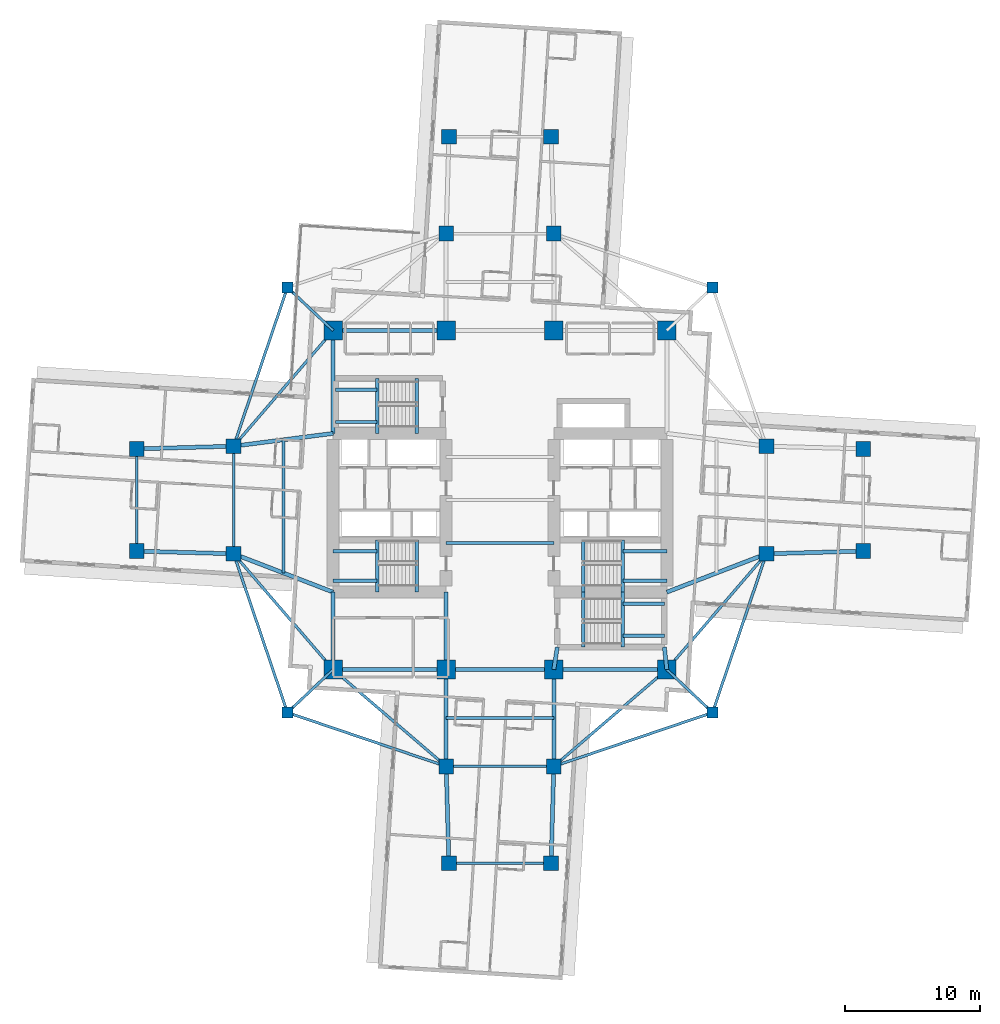
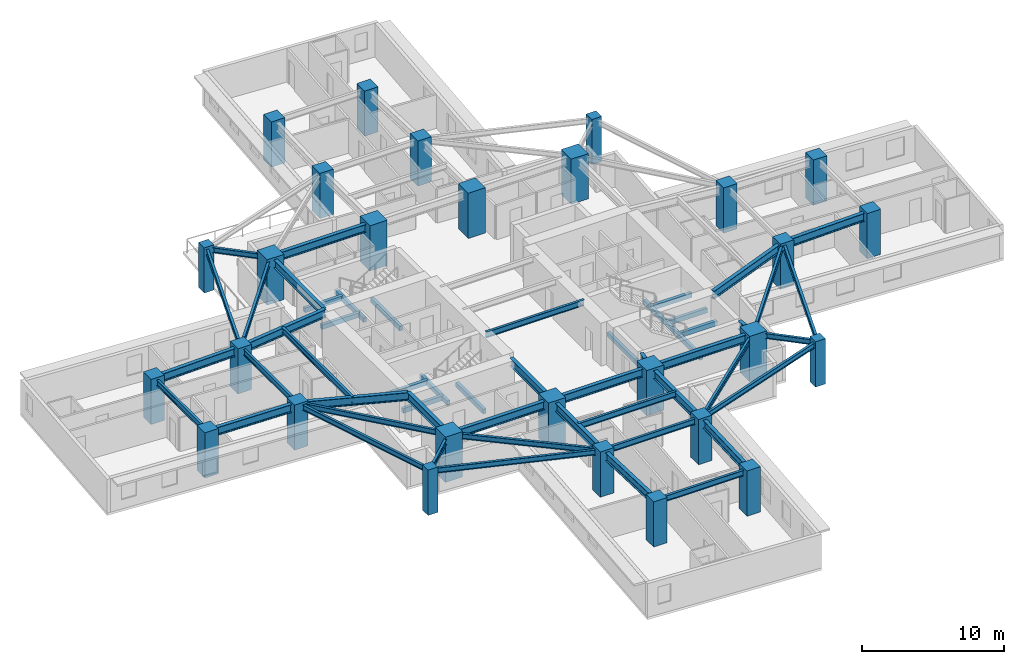
# One storey, part 1 of 14: 55 beams, 28 columns.
"""IFC4 building model written with IfcOpenShell, lengths in metres."""

from ifc_helpers import new_model, si_unit, direction, frame, origin, origin_2d, place, context, subcontext, project, spatial, rectangle, i_section, extrude, material, material_profile, profile_set, type_object, element, save


model = new_model("IFC4")

# Units and contexts
model_context = context("Model", 3, precision=1e-05, world=origin(), true_north=direction((0.0, 1.0)))
body_context = subcontext(model_context, "Body", "Model", "MODEL_VIEW")
ifc_project = project(units=[si_unit("LENGTHUNIT", "METRE"), si_unit("AREAUNIT", "SQUARE_METRE"), si_unit("VOLUMEUNIT", "CUBIC_METRE"), si_unit("PLANEANGLEUNIT", "RADIAN"), si_unit("MASSUNIT", "GRAM", prefix="KILO")], contexts=[model_context])

# Site, building, storey
site_placement = place(None, origin())
site = spatial("IfcSite", under=ifc_project, at=site_placement, CompositionType="ELEMENT")
building_placement = place(site_placement, origin())
building = spatial("IfcBuilding", under=site, at=building_placement, Name="Qingluan Cross Belvedere", CompositionType="ELEMENT")
storey_placement = place(building_placement, frame((0.0, 0.0, 87.300048828125)))
storey = spatial("IfcBuildingStorey", under=building, at=storey_placement, Name="L22", CompositionType="ELEMENT", Elevation=87.300048828125)

# Columns
ifc_material_1 = material(Name="Concrete C60", Category="concrete")
ifc_material_profile_1 = material_profile(ifc_material_1, rectangle(XDim=1.10009765625, YDim=1.10009765625, at=origin_2d()), Name="RC1100x1100")
ifc_profile_set_1 = profile_set([ifc_material_profile_1], Name="Concrete C60")
column_type_1 = type_object("IfcColumnType", Name="Column_RC1100x1100", PredefinedType="COLUMN", material=ifc_profile_set_1)
for number, where, z_axis, x_axis, name in (
    (1, (19.800048828125, -4.0, 0.0), (0.0, 0.0, 1.0), (1.0, 0.0, 0.0), "Arm column L22-EIA"),
    (2, (19.800048828125, 4.0, 0.0), (0.0, 0.0, 1.0), (1.0, 0.0, 0.0), "Arm column L22-EIB"),
    (3, (-19.800048828125, -4.0, 0.0), (0.0, 0.0, 1.0), (1.0, 0.0, 0.0), "Arm column L22-WIA"),
    (4, (-19.800048828125, 4.0, 0.0), (0.0, 0.0, 1.0), (1.0, 0.0, 0.0), "Arm column L22-WIB"),
    (5, (-4.0, -19.800048828125, 0.0), (0.0, 0.0, 1.0), (1.0, 0.0, 0.0), "Arm column L22-SIA"),
    (6, (4.0, -19.800048828125, 0.0), (0.0, 0.0, 1.0), (1.0, 0.0, 0.0), "Arm column L22-SIB"),
    (7, (-4.0, 19.800048828125, 0.0), (0.0, 0.0, 1.0), (1.0, 0.0, 0.0), "Arm column L22-NIA"),
    (8, (4.0, 19.800048828125, 0.0), (0.0, 0.0, 1.0), (1.0, 0.0, 0.0), "Arm column L22-NIB"),
    (9, (27.0, -3.800048828125, 0.0), (0.0, 0.0, 1.0), (1.0, 0.0, 0.0), "Arm column L22-EOA"),
    (10, (27.0, 3.800048828125, 0.0), (0.0, 0.0, 1.0), (1.0, 0.0, 0.0), "Arm column L22-EOB"),
    (11, (-27.0, -3.800048828125, 0.0), (0.0, 0.0, 1.0), (1.0, 0.0, 0.0), "Arm column L22-WOA"),
    (12, (-27.0, 3.800048828125, 0.0), (0.0, 0.0, 1.0), (1.0, 0.0, 0.0), "Arm column L22-WOB"),
    (13, (-3.800048828125, -27.0, 0.0), (0.0, 0.0, 1.0), (1.0, 0.0, 0.0), "Arm column L22-SOA"),
    (14, (3.800048828125, -27.0, 0.0), (0.0, 0.0, 1.0), (1.0, 0.0, 0.0), "Arm column L22-SOB"),
    (15, (-3.800048828125, 27.0, 0.0), (0.0, 0.0, 1.0), (1.0, 0.0, 0.0), "Arm column L22-NOA"),
    (16, (3.800048828125, 27.0, 0.0), (0.0, 0.0, 1.0), (1.0, 0.0, 0.0), "Arm column L22-NOB"),
):
    element("IfcColumn", number, at=place(storey_placement, frame(where, z_axis=z_axis, x_axis=x_axis)), inside=storey, type_object=column_type_1, Name=name, PredefinedType="COLUMN", context=body_context, shape_type="SweptSolid", body=[
        extrude(rectangle(XDim=1.10009765625, YDim=1.10009765625, at=origin_2d()), origin(), (0.0, 0.0, 1.0), 3.89990234375),
    ])
ifc_material_2 = material(Name="Concrete C70", Category="concrete")
ifc_material_profile_2 = material_profile(ifc_material_2, rectangle(XDim=1.39990234375, YDim=1.39990234375, at=origin_2d()), Name="RC1400x1400")
ifc_profile_set_2 = profile_set([ifc_material_profile_2], Name="Concrete C70")
column_type_2 = type_object("IfcColumnType", Name="Column_RC1400x1400", PredefinedType="COLUMN", material=ifc_profile_set_2)
for number, where, z_axis, x_axis, name in (
    (17, (-12.39990234375, -12.60009765625, 0.0), (0.0, 0.0, 1.0), (1.0, 0.0, 0.0), "Hub column L22-HC1"),
    (18, (12.39990234375, -12.60009765625, 0.0), (0.0, 0.0, 1.0), (1.0, 0.0, 0.0), "Hub column L22-HC2"),
    (19, (12.39990234375, 12.60009765625, 0.0), (0.0, 0.0, 1.0), (1.0, 0.0, 0.0), "Hub column L22-HC3"),
    (20, (-12.39990234375, 12.60009765625, 0.0), (0.0, 0.0, 1.0), (1.0, 0.0, 0.0), "Hub column L22-HC4"),
    (21, (-4.0, -12.60009765625, 0.0), (0.0, 0.0, 1.0), (1.0, 0.0, 0.0), "Hub column L22-HC5"),
    (22, (4.0, -12.60009765625, 0.0), (0.0, 0.0, 1.0), (1.0, 0.0, 0.0), "Hub column L22-HC6"),
    (23, (4.0, 12.60009765625, 0.0), (0.0, 0.0, 1.0), (1.0, 0.0, 0.0), "Hub column L22-HC7"),
    (24, (-4.0, 12.60009765625, 0.0), (0.0, 0.0, 1.0), (1.0, 0.0, 0.0), "Hub column L22-HC8"),
):
    element("IfcColumn", number, at=place(storey_placement, frame(where, z_axis=z_axis, x_axis=x_axis)), inside=storey, type_object=column_type_2, Name=name, PredefinedType="COLUMN", context=body_context, shape_type="SweptSolid", body=[
        extrude(rectangle(XDim=1.39990234375, YDim=1.39990234375, at=origin_2d()), origin(), (0.0, 0.0, 1.0), 3.89990234375),
    ])
ifc_material_3 = material(Name="Concrete C50", Category="concrete")
ifc_material_profile_3 = material_profile(ifc_material_3, rectangle(XDim=0.800048828125, YDim=0.800048828125, at=origin_2d()), Name="RC800x800")
ifc_profile_set_3 = profile_set([ifc_material_profile_3], Name="Concrete C50")
column_type_3 = type_object("IfcColumnType", Name="Column_RC800x800", PredefinedType="COLUMN", material=ifc_profile_set_3)
for number, where, z_axis, x_axis, name in (
    (25, (15.800048828125, 15.800048828125, 0.0), (0.0, 0.0, 1.0), (1.0, 0.0, 0.0), "Corner column L22-RNE"),
    (26, (-15.800048828125, 15.800048828125, 0.0), (0.0, 0.0, 1.0), (1.0, 0.0, 0.0), "Corner column L22-RNW"),
    (27, (-15.800048828125, -15.800048828125, 0.0), (0.0, 0.0, 1.0), (1.0, 0.0, 0.0), "Corner column L22-RSW"),
    (28, (15.800048828125, -15.800048828125, 0.0), (0.0, 0.0, 1.0), (1.0, 0.0, 0.0), "Corner column L22-RSE"),
):
    element("IfcColumn", number, at=place(storey_placement, frame(where, z_axis=z_axis, x_axis=x_axis)), inside=storey, type_object=column_type_3, Name=name, PredefinedType="COLUMN", context=body_context, shape_type="SweptSolid", body=[
        extrude(rectangle(XDim=0.800048828125, YDim=0.800048828125, at=origin_2d()), origin(), (0.0, 0.0, 1.0), 3.89990234375),
    ])

# Beams
ifc_material_4 = material(Name="Concrete C45", Category="concrete")
ifc_material_profile_4 = material_profile(ifc_material_4, rectangle(XDim=0.25, YDim=0.39990234375, at=origin_2d()), Name="RC250x400")
ifc_profile_set_4 = profile_set([ifc_material_profile_4], Name="Concrete C45")
beam_type_1 = type_object("IfcBeamType", Name="RC_Lintel_RC250x400", PredefinedType="LINTEL", material=ifc_profile_set_4)
for number, where, z_axis, x_axis, name in (
    (29, (-6.179931640625, -6.85009765625, -0.199951171875), (0.0, 1.0, 0.0), (-1.0, 0.0, 0.0), "Stair ST1 landing beam L22"),
    (30, (6.179931640625, -6.85009765625, -0.199951171875), (0.0, 1.0, 0.0), (-1.0, 0.0, 0.0), "Stair ST2 landing beam L22"),
):
    element("IfcBeam", number, at=place(storey_placement, frame(where, z_axis=z_axis, x_axis=x_axis)), inside=storey, type_object=beam_type_1, Name=name, PredefinedType="LINTEL", context=body_context, shape_type="SweptSolid", body=[
        extrude(rectangle(XDim=0.25, YDim=0.39990234375, at=origin_2d()), origin(), (0.0, 0.0, 1.0), 3.89013671875),
    ])
beam_1_placement = place(storey_placement, frame((-6.179931640625, 4.949951171875, -0.199951171875), z_axis=(0.0, 1.0, 0.0), x_axis=(-1.0, 0.0, 0.0)))
element("IfcBeam", 31, at=beam_1_placement, inside=storey, type_object=beam_type_1, Name="Stair ST3 landing beam L22", PredefinedType="LINTEL", context=body_context, shape_type="SweptSolid", body=[
    extrude(rectangle(XDim=0.25, YDim=0.39990234375, at=origin_2d()), origin(), (0.0, 0.0, 1.0), 4.090087890625),
])
beam_2_placement = place(storey_placement, frame((6.179931640625, -10.93994140625, -0.199951171875), z_axis=(0.0, 1.0, 0.0), x_axis=(-1.0, 0.0, 0.0)))
element("IfcBeam", 32, at=beam_2_placement, inside=storey, type_object=beam_type_1, Name="Stair ST4 landing beam L22", PredefinedType="LINTEL", context=body_context, shape_type="SweptSolid", body=[
    extrude(rectangle(XDim=0.25, YDim=0.39990234375, at=origin_2d()), origin(), (0.0, 0.0, 1.0), 4.08984375),
])
beam_3_placement = place(storey_placement, frame((-9.1298828125, -6.85009765625, 1.550048828125), z_axis=(0.0, 1.0, 0.0), x_axis=(-1.0, 0.0, 0.0)))
element("IfcBeam", 33, at=beam_3_placement, inside=storey, type_object=beam_type_1, Name="Stair ST1 beam A L22", PredefinedType="LINTEL", context=body_context, shape_type="SweptSolid", body=[
    extrude(rectangle(XDim=0.25, YDim=0.39990234375, at=origin_2d()), origin(), (0.0, 0.0, 1.0), 3.89013671875),
])
for number, where, z_axis, x_axis, name in (
    (34, (-12.39990234375, -6.0, 1.550048828125), (1.0, 0.0, 0.0), (0.0, 1.0, 0.0), "Stair ST1 beam B L22"),
    (35, (-12.39990234375, -3.81005859375, 1.550048828125), (1.0, 0.0, 0.0), (0.0, 1.0, 0.0), "Stair ST1 beam C L22"),
):
    element("IfcBeam", number, at=place(storey_placement, frame(where, z_axis=z_axis, x_axis=x_axis)), inside=storey, type_object=beam_type_1, Name=name, PredefinedType="LINTEL", context=body_context, shape_type="SweptSolid", body=[
        extrude(rectangle(XDim=0.25, YDim=0.39990234375, at=origin_2d()), origin(), (0.0, 0.0, 1.0), 3.27001953125),
    ])
beam_4_placement = place(storey_placement, frame((9.1298828125, -6.85009765625, 1.550048828125), z_axis=(0.0, 1.0, 0.0), x_axis=(-1.0, 0.0, 0.0)))
element("IfcBeam", 36, at=beam_4_placement, inside=storey, type_object=beam_type_1, Name="Stair ST2 beam A L22", PredefinedType="LINTEL", context=body_context, shape_type="SweptSolid", body=[
    extrude(rectangle(XDim=0.25, YDim=0.39990234375, at=origin_2d()), origin(), (0.0, 0.0, 1.0), 3.89013671875),
])
for number, where, z_axis, x_axis, name in (
    (37, (12.39990234375, -6.0, 1.550048828125), (-1.0, 0.0, 0.0), (0.0, -1.0, 0.0), "Stair ST2 beam B L22"),
    (38, (12.39990234375, -3.81005859375, 1.550048828125), (-1.0, 0.0, 0.0), (0.0, -1.0, 0.0), "Stair ST2 beam C L22"),
):
    element("IfcBeam", number, at=place(storey_placement, frame(where, z_axis=z_axis, x_axis=x_axis)), inside=storey, type_object=beam_type_1, Name=name, PredefinedType="LINTEL", context=body_context, shape_type="SweptSolid", body=[
        extrude(rectangle(XDim=0.25, YDim=0.39990234375, at=origin_2d()), origin(), (0.0, 0.0, 1.0), 3.27001953125),
    ])
beam_5_placement = place(storey_placement, frame((-9.1298828125, 4.949951171875, 1.550048828125), z_axis=(0.0, 1.0, 0.0), x_axis=(-1.0, 0.0, 0.0)))
element("IfcBeam", 39, at=beam_5_placement, inside=storey, type_object=beam_type_1, Name="Stair ST3 beam A L22", PredefinedType="LINTEL", context=body_context, shape_type="SweptSolid", body=[
    extrude(rectangle(XDim=0.25, YDim=0.39990234375, at=origin_2d()), origin(), (0.0, 0.0, 1.0), 4.090087890625),
])
for number, where, z_axis, x_axis, name in (
    (40, (-12.219970703125, 5.800048828125, 1.550048828125), (1.0, 0.0, 0.0), (0.0, 1.0, 0.0), "Stair ST3 beam B L22"),
    (41, (-12.219970703125, 8.18994140625, 1.550048828125), (1.0, 0.0, 0.0), (0.0, 1.0, 0.0), "Stair ST3 beam C L22"),
):
    element("IfcBeam", number, at=place(storey_placement, frame(where, z_axis=z_axis, x_axis=x_axis)), inside=storey, type_object=beam_type_1, Name=name, PredefinedType="LINTEL", context=body_context, shape_type="SweptSolid", body=[
        extrude(rectangle(XDim=0.25, YDim=0.39990234375, at=origin_2d()), origin(), (0.0, 0.0, 1.0), 3.090087890625),
    ])
beam_6_placement = place(storey_placement, frame((9.1298828125, -10.93994140625, 1.550048828125), z_axis=(0.0, 1.0, 0.0), x_axis=(-1.0, 0.0, 0.0)))
element("IfcBeam", 42, at=beam_6_placement, inside=storey, type_object=beam_type_1, Name="Stair ST4 beam A L22", PredefinedType="LINTEL", context=body_context, shape_type="SweptSolid", body=[
    extrude(rectangle(XDim=0.25, YDim=0.39990234375, at=origin_2d()), origin(), (0.0, 0.0, 1.0), 4.08984375),
])
for number, where, z_axis, x_axis, name in (
    (43, (12.219970703125, -10.090087890625, 1.550048828125), (-1.0, 0.0, 0.0), (0.0, -1.0, 0.0), "Stair ST4 beam B L22"),
    (44, (12.219970703125, -7.699951171875, 1.550048828125), (-1.0, 0.0, 0.0), (0.0, -1.0, 0.0), "Stair ST4 beam C L22"),
):
    element("IfcBeam", number, at=place(storey_placement, frame(where, z_axis=z_axis, x_axis=x_axis)), inside=storey, type_object=beam_type_1, Name=name, PredefinedType="LINTEL", context=body_context, shape_type="SweptSolid", body=[
        extrude(rectangle(XDim=0.25, YDim=0.39990234375, at=origin_2d()), origin(), (0.0, 0.0, 1.0), 3.090087890625),
    ])
ifc_material_5 = material(Name="Steel Q420GJB", Category="steel")
ifc_material_profile_5 = material_profile(ifc_material_5, i_section(OverallWidth=0.199951171875, OverallDepth=0.449951171875, WebThickness=0.009033203125, FlangeThickness=0.013916015625, FilletRadius=0.01611328125, at=origin_2d()), Name="HN450x200x9x14")
ifc_profile_set_5 = profile_set([ifc_material_profile_5], Name="Steel Q420GJB")
beam_type_2 = type_object("IfcBeamType", Name="Steel_Beam_HN450x200x9x14", PredefinedType="JOIST", material=ifc_profile_set_5)
beam_7_placement = place(storey_placement, frame((-12.39990234375, 12.60009765625, 3.454833984375), z_axis=(-0.728219948308, 0.685343495546, 0.0), x_axis=(-0.685343495546, -0.728219948308, 0.0)))
element("IfcBeam", 45, at=beam_7_placement, inside=storey, type_object=beam_type_2, Name="Corner beam 1 L22-RNW", PredefinedType="JOIST", context=body_context, shape_type="SweptSolid", body=[
    extrude(i_section(OverallWidth=0.199951171875, OverallDepth=0.449951171875, WebThickness=0.009033203125, FlangeThickness=0.013916015625, FilletRadius=0.01611328125, at=origin_2d()), origin(), (0.0, 0.0, 1.0), 4.669189453125),
])
beam_8_placement = place(storey_placement, frame((-15.800048828125, 15.800048828125, 3.474853515625), z_axis=(-0.321038089628, -0.947066283324, 0.0), x_axis=(0.947066283324, -0.321038089628, 0.0)))
element("IfcBeam", 46, at=beam_8_placement, inside=storey, type_object=beam_type_2, Name="Corner beam 3 L22-RNW", PredefinedType="JOIST", context=body_context, shape_type="SweptSolid", body=[
    extrude(i_section(OverallWidth=0.199951171875, OverallDepth=0.449951171875, WebThickness=0.009033203125, FlangeThickness=0.013916015625, FilletRadius=0.01611328125, at=origin_2d()), origin(), (0.0, 0.0, 1.0), 12.45947265625),
])
beam_9_placement = place(storey_placement, frame((-12.39990234375, 12.60009765625, 3.454833984375), z_axis=(-0.652245077546, -0.75800815221, 0.0), x_axis=(0.75800815221, -0.652245077546, 0.0)))
element("IfcBeam", 47, at=beam_9_placement, inside=storey, type_object=beam_type_2, Name="Corner beam 4 L22-RNW", PredefinedType="JOIST", context=body_context, shape_type="SweptSolid", body=[
    extrude(i_section(OverallWidth=0.199951171875, OverallDepth=0.449951171875, WebThickness=0.009033203125, FlangeThickness=0.013916015625, FilletRadius=0.01611328125, at=origin_2d()), origin(), (0.0, 0.0, 1.0), 11.345703125),
])
beam_10_placement = place(storey_placement, frame((-12.39990234375, -12.60009765625, 3.474853515625), z_axis=(-0.728219948308, -0.685343495546, 0.0), x_axis=(0.685343495546, -0.728219948308, 0.0)))
element("IfcBeam", 48, at=beam_10_placement, inside=storey, type_object=beam_type_2, Name="Corner beam 1 L22-RSW", PredefinedType="JOIST", context=body_context, shape_type="SweptSolid", body=[
    extrude(i_section(OverallWidth=0.199951171875, OverallDepth=0.449951171875, WebThickness=0.009033203125, FlangeThickness=0.013916015625, FilletRadius=0.01611328125, at=origin_2d()), origin(), (0.0, 0.0, 1.0), 4.669189453125),
])
for number, where, z_axis, x_axis, name in (
    (49, (-15.800048828125, -15.800048828125, 3.474853515625), (0.947066283324, -0.321038089628, 0.0), (0.321038089628, 0.947066283324, 0.0), "Corner beam 2 L22-RSW"),
    (50, (-15.800048828125, -15.800048828125, 3.474853515625), (-0.321038089628, 0.947066283324, 0.0), (-0.947066283324, -0.321038089628, 0.0), "Corner beam 3 L22-RSW"),
):
    element("IfcBeam", number, at=place(storey_placement, frame(where, z_axis=z_axis, x_axis=x_axis)), inside=storey, type_object=beam_type_2, Name=name, PredefinedType="JOIST", context=body_context, shape_type="SweptSolid", body=[
        extrude(i_section(OverallWidth=0.199951171875, OverallDepth=0.449951171875, WebThickness=0.009033203125, FlangeThickness=0.013916015625, FilletRadius=0.01611328125, at=origin_2d()), origin(), (0.0, 0.0, 1.0), 12.45947265625),
    ])
beam_11_placement = place(storey_placement, frame((-12.39990234375, -12.60009765625, 3.474853515625), z_axis=(-0.652245077546, 0.75800815221, 0.0), x_axis=(-0.75800815221, -0.652245077546, 0.0)))
element("IfcBeam", 51, at=beam_11_placement, inside=storey, type_object=beam_type_2, Name="Corner beam 4 L22-RSW", PredefinedType="JOIST", context=body_context, shape_type="SweptSolid", body=[
    extrude(i_section(OverallWidth=0.199951171875, OverallDepth=0.449951171875, WebThickness=0.009033203125, FlangeThickness=0.013916015625, FilletRadius=0.01611328125, at=origin_2d()), origin(), (0.0, 0.0, 1.0), 11.345703125),
])
beam_12_placement = place(storey_placement, frame((-12.39990234375, -12.60009765625, 3.474853515625), z_axis=(0.759255044656, -0.650793190779, 0.0), x_axis=(0.650793190779, 0.759255044656, 0.0)))
element("IfcBeam", 52, at=beam_12_placement, inside=storey, type_object=beam_type_2, Name="Corner beam 5 L22-RSW", PredefinedType="JOIST", context=body_context, shape_type="SweptSolid", body=[
    extrude(i_section(OverallWidth=0.199951171875, OverallDepth=0.449951171875, WebThickness=0.009033203125, FlangeThickness=0.013916015625, FilletRadius=0.01611328125, at=origin_2d()), origin(), (0.0, 0.0, 1.0), 11.063232421875),
])
beam_13_placement = place(storey_placement, frame((12.39990234375, -12.60009765625, 3.474853515625), z_axis=(0.728219948308, -0.685343495546, 0.0), x_axis=(0.685343495546, 0.728219948308, 0.0)))
element("IfcBeam", 53, at=beam_13_placement, inside=storey, type_object=beam_type_2, Name="Corner beam 1 L22-RSE", PredefinedType="JOIST", context=body_context, shape_type="SweptSolid", body=[
    extrude(i_section(OverallWidth=0.199951171875, OverallDepth=0.449951171875, WebThickness=0.009033203125, FlangeThickness=0.013916015625, FilletRadius=0.01611328125, at=origin_2d()), origin(), (0.0, 0.0, 1.0), 4.669189453125),
])
for number, where, z_axis, x_axis, name in (
    (54, (15.800048828125, -15.800048828125, 3.474853515625), (-0.947066283324, -0.321038089628, 0.0), (0.321038089628, -0.947066283324, 0.0), "Corner beam 2 L22-RSE"),
    (55, (15.800048828125, -15.800048828125, 3.474853515625), (0.321038089628, 0.947066283324, 0.0), (-0.947066283324, 0.321038089628, 0.0), "Corner beam 3 L22-RSE"),
):
    element("IfcBeam", number, at=place(storey_placement, frame(where, z_axis=z_axis, x_axis=x_axis)), inside=storey, type_object=beam_type_2, Name=name, PredefinedType="JOIST", context=body_context, shape_type="SweptSolid", body=[
        extrude(i_section(OverallWidth=0.199951171875, OverallDepth=0.449951171875, WebThickness=0.009033203125, FlangeThickness=0.013916015625, FilletRadius=0.01611328125, at=origin_2d()), origin(), (0.0, 0.0, 1.0), 12.45947265625),
    ])
beam_14_placement = place(storey_placement, frame((12.39990234375, -12.60009765625, 3.474853515625), z_axis=(0.652245077546, 0.75800815221, 0.0), x_axis=(-0.75800815221, 0.652245077546, 0.0)))
element("IfcBeam", 56, at=beam_14_placement, inside=storey, type_object=beam_type_2, Name="Corner beam 4 L22-RSE", PredefinedType="JOIST", context=body_context, shape_type="SweptSolid", body=[
    extrude(i_section(OverallWidth=0.199951171875, OverallDepth=0.449951171875, WebThickness=0.009033203125, FlangeThickness=0.013916015625, FilletRadius=0.01611328125, at=origin_2d()), origin(), (0.0, 0.0, 1.0), 11.345703125),
])
beam_15_placement = place(storey_placement, frame((12.39990234375, -12.60009765625, 3.474853515625), z_axis=(-0.759255044656, -0.650793190779, 0.0), x_axis=(0.650793190779, -0.759255044656, 0.0)))
element("IfcBeam", 57, at=beam_15_placement, inside=storey, type_object=beam_type_2, Name="Corner beam 5 L22-RSE", PredefinedType="JOIST", context=body_context, shape_type="SweptSolid", body=[
    extrude(i_section(OverallWidth=0.199951171875, OverallDepth=0.449951171875, WebThickness=0.009033203125, FlangeThickness=0.013916015625, FilletRadius=0.01611328125, at=origin_2d()), origin(), (0.0, 0.0, 1.0), 11.063232421875),
])
ifc_material_6 = material(Name="Steel Q420GJB", Category="steel")
ifc_material_profile_6 = material_profile(ifc_material_6, i_section(OverallWidth=0.199951171875, OverallDepth=0.5, WebThickness=0.010009765625, FlangeThickness=0.01611328125, FilletRadius=0.01611328125, at=origin_2d()), Name="HN500x200x10x16")
ifc_profile_set_6 = profile_set([ifc_material_profile_6], Name="Steel Q420GJB")
beam_type_3 = type_object("IfcBeamType", Name="Steel_Beam_HN500x200x10x16", PredefinedType="JOIST", material=ifc_profile_set_6)
for number, where, z_axis, x_axis, name in (
    (58, (-4.0, -3.199951171875, 3.449951171875), (1.0, 0.0, 0.0), (0.0, 1.0, 0.0), "Hall beam L22-CH1"),
    (59, (-19.800048828125, -4.0, 3.449951171875), (0.0, 1.0, 0.0), (-1.0, 0.0, 0.0), "Arm W tie L22"),
):
    element("IfcBeam", number, at=place(storey_placement, frame(where, z_axis=z_axis, x_axis=x_axis)), inside=storey, type_object=beam_type_3, Name=name, PredefinedType="JOIST", context=body_context, shape_type="SweptSolid", body=[
        extrude(i_section(OverallWidth=0.199951171875, OverallDepth=0.5, WebThickness=0.010009765625, FlangeThickness=0.01611328125, FilletRadius=0.01611328125, at=origin_2d()), origin(), (0.0, 0.0, 1.0), 8.0),
    ])
beam_16_placement = place(storey_placement, frame((-16.10009765625, -5.425048828125, 3.449951171875), z_axis=(0.0, 1.0, 0.0), x_axis=(-1.0, 0.0, 0.0)))
element("IfcBeam", 60, at=beam_16_placement, inside=storey, type_object=beam_type_3, Name="Arm W beam L22", PredefinedType="JOIST", context=body_context, shape_type="SweptSolid", body=[
    extrude(i_section(OverallWidth=0.199951171875, OverallDepth=0.5, WebThickness=0.010009765625, FlangeThickness=0.01611328125, FilletRadius=0.01611328125, at=origin_2d()), origin(), (0.0, 0.0, 1.0), 9.900146484375),
])
beam_17_placement = place(storey_placement, frame((-27.0, -3.800048828125, 3.449951171875), z_axis=(0.0, 1.0, 0.0), x_axis=(-1.0, 0.0, 0.0)))
element("IfcBeam", 61, at=beam_17_placement, inside=storey, type_object=beam_type_3, Name="Arm W tip transverse beam L22", PredefinedType="JOIST", context=body_context, shape_type="SweptSolid", body=[
    extrude(i_section(OverallWidth=0.199951171875, OverallDepth=0.5, WebThickness=0.010009765625, FlangeThickness=0.01611328125, FilletRadius=0.01611328125, at=origin_2d()), origin(), (0.0, 0.0, 1.0), 7.60009765625),
])
for number, where, z_axis, x_axis, name in (
    (62, (-4.0, -19.800048828125, 3.449951171875), (1.0, 0.0, 0.0), (0.0, 1.0, 0.0), "Arm S tie L22"),
    (63, (-4.0, -16.199951171875, 3.449951171875), (1.0, 0.0, 0.0), (0.0, 1.0, 0.0), "Arm S beam L22"),
):
    element("IfcBeam", number, at=place(storey_placement, frame(where, z_axis=z_axis, x_axis=x_axis)), inside=storey, type_object=beam_type_3, Name=name, PredefinedType="JOIST", context=body_context, shape_type="SweptSolid", body=[
        extrude(i_section(OverallWidth=0.199951171875, OverallDepth=0.5, WebThickness=0.010009765625, FlangeThickness=0.01611328125, FilletRadius=0.01611328125, at=origin_2d()), origin(), (0.0, 0.0, 1.0), 8.0),
    ])
beam_18_placement = place(storey_placement, frame((-3.800048828125, -27.0, 3.449951171875), z_axis=(1.0, 0.0, 0.0), x_axis=(0.0, 1.0, 0.0)))
element("IfcBeam", 64, at=beam_18_placement, inside=storey, type_object=beam_type_3, Name="Arm S tip transverse beam L22", PredefinedType="JOIST", context=body_context, shape_type="SweptSolid", body=[
    extrude(i_section(OverallWidth=0.199951171875, OverallDepth=0.5, WebThickness=0.010009765625, FlangeThickness=0.01611328125, FilletRadius=0.01611328125, at=origin_2d()), origin(), (0.0, 0.0, 1.0), 7.60009765625),
])
ifc_material_7 = material(Name="Steel Q420GJB", Category="steel")
ifc_material_profile_7 = material_profile(ifc_material_7, i_section(OverallWidth=0.300048828125, OverallDepth=0.699951171875, WebThickness=0.014892578125, FlangeThickness=0.027099609375, FilletRadius=0.027099609375, at=origin_2d()), Name="HEB700")
ifc_profile_set_7 = profile_set([ifc_material_profile_7], Name="Steel Q420GJB")
beam_type_4 = type_object("IfcBeamType", Name="Steel_Girder_HEB700", PredefinedType="USERDEFINED", material=ifc_profile_set_7)
beam_19_placement = place(storey_placement, frame((-12.39990234375, -12.60009765625, 3.349853515625), z_axis=(1.0, 0.0, 0.0), x_axis=(0.0, 1.0, 0.0)))
element("IfcBeam", 65, at=beam_19_placement, inside=storey, type_object=beam_type_4, Name="Hub girder L22-HG-S1", ObjectType="GIRDER", PredefinedType="USERDEFINED", context=body_context, shape_type="SweptSolid", body=[
    extrude(i_section(OverallWidth=0.300048828125, OverallDepth=0.699951171875, WebThickness=0.014892578125, FlangeThickness=0.027099609375, FilletRadius=0.027099609375, at=origin_2d()), origin(), (0.0, 0.0, 1.0), 8.39990234375),
])
beam_20_placement = place(storey_placement, frame((-4.0, -12.60009765625, 3.349853515625), z_axis=(1.0, 0.0, 0.0), x_axis=(0.0, 1.0, 0.0)))
element("IfcBeam", 66, at=beam_20_placement, inside=storey, type_object=beam_type_4, Name="Hub girder L22-HG-S2", ObjectType="GIRDER", PredefinedType="USERDEFINED", context=body_context, shape_type="SweptSolid", body=[
    extrude(i_section(OverallWidth=0.300048828125, OverallDepth=0.699951171875, WebThickness=0.014892578125, FlangeThickness=0.027099609375, FilletRadius=0.027099609375, at=origin_2d()), origin(), (0.0, 0.0, 1.0), 8.0),
])
for number, where, z_axis, x_axis, name in (
    (67, (4.0, -12.60009765625, 3.349853515625), (1.0, 0.0, 0.0), (0.0, 1.0, 0.0), "Hub girder L22-HG-S3"),
    (68, (-12.39990234375, 12.60009765625, 3.349853515625), (1.0, 0.0, 0.0), (0.0, 1.0, 0.0), "Hub girder L22-HG-N1"),
):
    element("IfcBeam", number, at=place(storey_placement, frame(where, z_axis=z_axis, x_axis=x_axis)), inside=storey, type_object=beam_type_4, Name=name, ObjectType="GIRDER", PredefinedType="USERDEFINED", context=body_context, shape_type="SweptSolid", body=[
        extrude(i_section(OverallWidth=0.300048828125, OverallDepth=0.699951171875, WebThickness=0.014892578125, FlangeThickness=0.027099609375, FilletRadius=0.027099609375, at=origin_2d()), origin(), (0.0, 0.0, 1.0), 8.39990234375),
    ])
beam_21_placement = place(storey_placement, frame((-12.39990234375, -12.60009765625, 3.349853515625), z_axis=(0.0, 1.0, 0.0), x_axis=(-1.0, 0.0, 0.0)))
element("IfcBeam", 69, at=beam_21_placement, inside=storey, type_object=beam_type_4, Name="Hub girder L22-HG-W1", ObjectType="GIRDER", PredefinedType="USERDEFINED", context=body_context, shape_type="SweptSolid", body=[
    extrude(i_section(OverallWidth=0.300048828125, OverallDepth=0.699951171875, WebThickness=0.014892578125, FlangeThickness=0.027099609375, FilletRadius=0.027099609375, at=origin_2d()), origin(), (0.0, 0.0, 1.0), 5.75),
])
beam_22_placement = place(storey_placement, frame((-12.39990234375, 4.949951171875, 3.349853515625), z_axis=(0.0, 1.0, 0.0), x_axis=(-1.0, 0.0, 0.0)))
element("IfcBeam", 70, at=beam_22_placement, inside=storey, type_object=beam_type_4, Name="Hub girder L22-HG-W2", ObjectType="GIRDER", PredefinedType="USERDEFINED", context=body_context, shape_type="SweptSolid", body=[
    extrude(i_section(OverallWidth=0.300048828125, OverallDepth=0.699951171875, WebThickness=0.014892578125, FlangeThickness=0.027099609375, FilletRadius=0.027099609375, at=origin_2d()), origin(), (0.0, 0.0, 1.0), 7.650146484375),
])
beam_23_placement = place(storey_placement, frame((12.39990234375, -12.60009765625, 3.349853515625), z_axis=(-0.107751337451, 0.994177876075, 0.0), x_axis=(-0.994177876075, -0.107751337451, 0.0)))
element("IfcBeam", 71, at=beam_23_placement, inside=storey, type_object=beam_type_4, Name="Hub girder L22-HG-E1", ObjectType="GIRDER", PredefinedType="USERDEFINED", context=body_context, shape_type="SweptSolid", body=[
    extrude(i_section(OverallWidth=0.300048828125, OverallDepth=0.699951171875, WebThickness=0.014892578125, FlangeThickness=0.027099609375, FilletRadius=0.027099609375, at=origin_2d()), origin(), (0.0, 0.0, 1.0), 1.669921875),
])
beam_24_placement = place(storey_placement, frame((-4.0, -12.60009765625, 3.349853515625), z_axis=(0.0, 1.0, 0.0), x_axis=(-1.0, 0.0, 0.0)))
element("IfcBeam", 72, at=beam_24_placement, inside=storey, type_object=beam_type_4, Name="Hub girder L22-HG-CW", ObjectType="GIRDER", PredefinedType="USERDEFINED", context=body_context, shape_type="SweptSolid", body=[
    extrude(i_section(OverallWidth=0.300048828125, OverallDepth=0.699951171875, WebThickness=0.014892578125, FlangeThickness=0.027099609375, FilletRadius=0.027099609375, at=origin_2d()), origin(), (0.0, 0.0, 1.0), 5.75),
])
beam_25_placement = place(storey_placement, frame((4.0, -12.60009765625, 3.349853515625), z_axis=(0.154731433337, 0.987956569662, 0.0), x_axis=(-0.987956569662, 0.154731433337, 0.0)))
element("IfcBeam", 73, at=beam_25_placement, inside=storey, type_object=beam_type_4, Name="Hub girder L22-HG-CE", ObjectType="GIRDER", PredefinedType="USERDEFINED", context=body_context, shape_type="SweptSolid", body=[
    extrude(i_section(OverallWidth=0.300048828125, OverallDepth=0.699951171875, WebThickness=0.014892578125, FlangeThickness=0.027099609375, FilletRadius=0.027099609375, at=origin_2d()), origin(), (0.0, 0.0, 1.0), 1.680419921875),
])
beam_26_placement = place(storey_placement, frame((12.39990234375, -6.85009765625, 3.349853515625), z_axis=(0.933181258889, 0.359406090735, 0.0), x_axis=(-0.359406090735, 0.933181258889, 0.0)))
element("IfcBeam", 74, at=beam_26_placement, inside=storey, type_object=beam_type_4, Name="Arm E radial girder A L22", ObjectType="GIRDER", PredefinedType="USERDEFINED", context=body_context, shape_type="SweptSolid", body=[
    extrude(i_section(OverallWidth=0.300048828125, OverallDepth=0.699951171875, WebThickness=0.014892578125, FlangeThickness=0.027099609375, FilletRadius=0.027099609375, at=origin_2d()), origin(), (0.0, 0.0, 1.0), 7.929931640625),
])
beam_27_placement = place(storey_placement, frame((19.800048828125, -4.0, 3.349853515625), z_axis=(0.999614603568, 0.027760481514, 0.0), x_axis=(-0.027760481514, 0.999614603568, 0.0)))
element("IfcBeam", 75, at=beam_27_placement, inside=storey, type_object=beam_type_4, Name="Arm E outer radial girder A L22", ObjectType="GIRDER", PredefinedType="USERDEFINED", context=body_context, shape_type="SweptSolid", body=[
    extrude(i_section(OverallWidth=0.300048828125, OverallDepth=0.699951171875, WebThickness=0.014892578125, FlangeThickness=0.027099609375, FilletRadius=0.027099609375, at=origin_2d()), origin(), (0.0, 0.0, 1.0), 7.20263671875),
])
beam_28_placement = place(storey_placement, frame((-12.39990234375, -6.85009765625, 3.349853515625), z_axis=(-0.933181258889, 0.359406090735, 0.0), x_axis=(-0.359406090735, -0.933181258889, 0.0)))
element("IfcBeam", 76, at=beam_28_placement, inside=storey, type_object=beam_type_4, Name="Arm W radial girder A L22", ObjectType="GIRDER", PredefinedType="USERDEFINED", context=body_context, shape_type="SweptSolid", body=[
    extrude(i_section(OverallWidth=0.300048828125, OverallDepth=0.699951171875, WebThickness=0.014892578125, FlangeThickness=0.027099609375, FilletRadius=0.027099609375, at=origin_2d()), origin(), (0.0, 0.0, 1.0), 7.929931640625),
])
beam_29_placement = place(storey_placement, frame((-12.39990234375, 4.949951171875, 3.349853515625), z_axis=(-0.991861120628, -0.12732445714, 0.0), x_axis=(0.12732445714, -0.991861120628, 0.0)))
element("IfcBeam", 77, at=beam_29_placement, inside=storey, type_object=beam_type_4, Name="Arm W radial girder B L22", ObjectType="GIRDER", PredefinedType="USERDEFINED", context=body_context, shape_type="SweptSolid", body=[
    extrude(i_section(OverallWidth=0.300048828125, OverallDepth=0.699951171875, WebThickness=0.014892578125, FlangeThickness=0.027099609375, FilletRadius=0.027099609375, at=origin_2d()), origin(), (0.0, 0.0, 1.0), 7.4609375),
])
for number, where, z_axis, x_axis, name in (
    (78, (-19.800048828125, -4.0, 3.349853515625), (-0.999614603568, 0.027760481514, 0.0), (-0.027760481514, -0.999614603568, 0.0), "Arm W outer radial girder A L22"),
    (79, (-19.800048828125, 4.0, 3.349853515625), (-0.999614603568, -0.027760481514, 0.0), (0.027760481514, -0.999614603568, 0.0), "Arm W outer radial girder B L22"),
):
    element("IfcBeam", number, at=place(storey_placement, frame(where, z_axis=z_axis, x_axis=x_axis)), inside=storey, type_object=beam_type_4, Name=name, ObjectType="GIRDER", PredefinedType="USERDEFINED", context=body_context, shape_type="SweptSolid", body=[
        extrude(i_section(OverallWidth=0.300048828125, OverallDepth=0.699951171875, WebThickness=0.014892578125, FlangeThickness=0.027099609375, FilletRadius=0.027099609375, at=origin_2d()), origin(), (0.0, 0.0, 1.0), 7.20263671875),
    ])
for number, where, z_axis, x_axis, name in (
    (80, (-4.0, -12.60009765625, 3.349853515625), (0.0, -1.0, 0.0), (1.0, 0.0, 0.0), "Arm S radial girder A L22"),
    (81, (4.0, -12.60009765625, 3.349853515625), (0.0, -1.0, 0.0), (1.0, 0.0, 0.0), "Arm S radial girder B L22"),
):
    element("IfcBeam", number, at=place(storey_placement, frame(where, z_axis=z_axis, x_axis=x_axis)), inside=storey, type_object=beam_type_4, Name=name, ObjectType="GIRDER", PredefinedType="USERDEFINED", context=body_context, shape_type="SweptSolid", body=[
        extrude(i_section(OverallWidth=0.300048828125, OverallDepth=0.699951171875, WebThickness=0.014892578125, FlangeThickness=0.027099609375, FilletRadius=0.027099609375, at=origin_2d()), origin(), (0.0, 0.0, 1.0), 7.199951171875),
    ])
for number, where, z_axis, x_axis, name in (
    (82, (-4.0, -19.800048828125, 3.349853515625), (0.027760481514, -0.999614603568, 0.0), (0.999614603568, 0.027760481514, 0.0), "Arm S outer radial girder A L22"),
    (83, (4.0, -19.800048828125, 3.349853515625), (-0.027760481514, -0.999614603568, 0.0), (0.999614603568, -0.027760481514, 0.0), "Arm S outer radial girder B L22"),
):
    element("IfcBeam", number, at=place(storey_placement, frame(where, z_axis=z_axis, x_axis=x_axis)), inside=storey, type_object=beam_type_4, Name=name, ObjectType="GIRDER", PredefinedType="USERDEFINED", context=body_context, shape_type="SweptSolid", body=[
        extrude(i_section(OverallWidth=0.300048828125, OverallDepth=0.699951171875, WebThickness=0.014892578125, FlangeThickness=0.027099609375, FilletRadius=0.027099609375, at=origin_2d()), origin(), (0.0, 0.0, 1.0), 7.20263671875),
    ])

save(model, "model.ifc")
